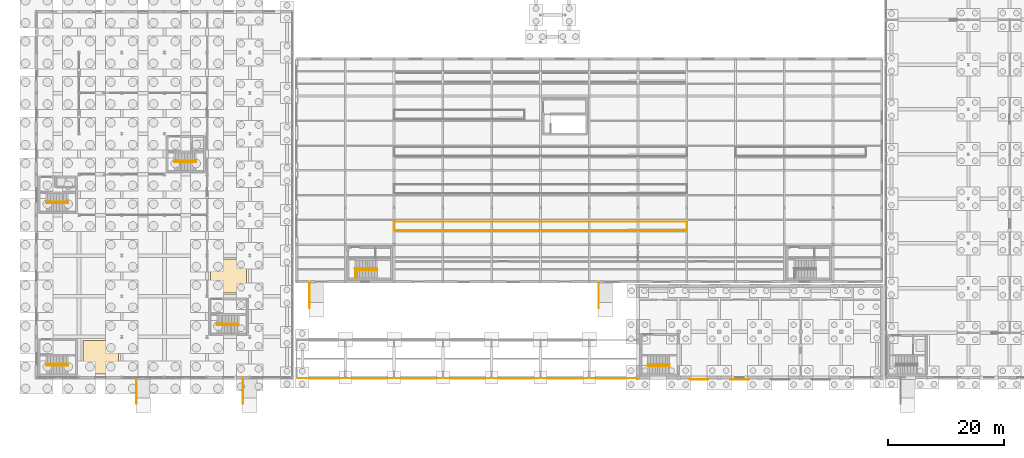
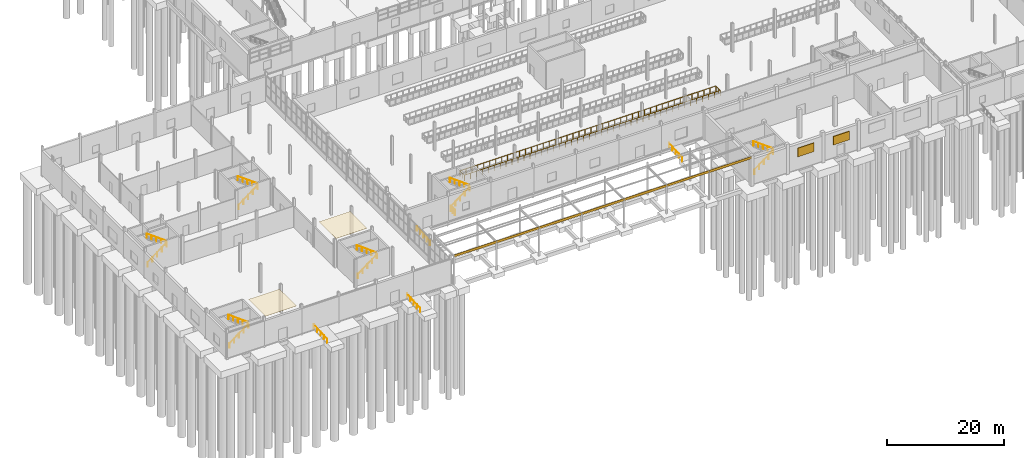
# One storey, part 134 of 139: 18 railings, 9 coverings, 2 shading devices.
"""IFC4 building model written with IfcOpenShell, lengths in metres."""

from ifc_helpers import new_model, si_unit, direction, frame, origin, origin_2d, place, context, subcontext, project, spatial, polyline, rectangle, circle, outline, extrude, material, layer, layer_set, type_object, element, save


model = new_model("IFC4")

# Units and contexts
model_context = context("Model", 3, precision=1e-05, world=origin(), true_north=direction((0.0, 1.0)))
body_context = subcontext(model_context, "Body", "Model", "MODEL_VIEW")
ifc_project = project(units=[si_unit("LENGTHUNIT", "METRE"), si_unit("AREAUNIT", "SQUARE_METRE"), si_unit("VOLUMEUNIT", "CUBIC_METRE"), si_unit("PLANEANGLEUNIT", "RADIAN"), si_unit("MASSUNIT", "GRAM", prefix="KILO")], contexts=[model_context])

# Site, building, storey
site_placement = place(None, origin())
site = spatial("IfcSite", under=ifc_project, at=site_placement, CompositionType="ELEMENT")
building_placement = place(site_placement, origin())
building = spatial("IfcBuilding", under=site, at=building_placement, Name="Kazenagashi Tramway Depot", CompositionType="ELEMENT")
storey_placement = place(building_placement, origin())
storey = spatial("IfcBuildingStorey", under=building, at=storey_placement, Name="L01", CompositionType="ELEMENT", Elevation=0.0)

# Coverings
ifc_material_1 = material(Name="Acoustic Mineral Fibre Board", Category="insulation")
ifc_layer_1 = layer(ifc_material_1, 0.035)
ifc_layer_set_1 = layer_set([ifc_layer_1], Name="Acoustic Mineral Fibre Board")
covering_type_1 = type_object("IfcCoveringType", Name="CV-CE1", PredefinedType="CEILING", material=ifc_layer_set_1)
covering_1_placement = place(storey_placement, frame((0.0, 0.0, 5.42)))
element("IfcCovering", 1, at=covering_1_placement, inside=storey, type_object=covering_type_1, Name="Acoustic Baffle Ceiling Panel 1", PredefinedType="CEILING", context=body_context, shape_type="SweptSolid", body=[
    extrude(outline(polyline([(8.0, 0.6), (14.1, 0.6), (14.1, 6.4), (8.0, 6.4), (8.0, 0.6)])), origin(), (0.0, 0.0, 1.0), 0.035),
])
covering_2_placement = place(storey_placement, frame((0.0, 0.0, 5.42)))
element("IfcCovering", 2, at=covering_2_placement, inside=storey, type_object=covering_type_1, Name="Acoustic Baffle Ceiling Panel 2", PredefinedType="CEILING", context=body_context, shape_type="SweptSolid", body=[
    extrude(outline(polyline([(30.0, 14.6), (36.15, 14.6), (36.15, 20.4), (30.0, 20.4), (30.0, 14.6)])), origin(), (0.0, 0.0, 1.0), 0.035),
])
ifc_material_2 = material(Name="Weathering Steel SMA490W Cladding", Category="steel")
ifc_layer_2 = layer(ifc_material_2, 0.04)
ifc_layer_set_2 = layer_set([ifc_layer_2], Name="Weathering Steel SMA490W Cladding")
covering_type_2 = type_object("IfcCoveringType", Name="CV-CL1", PredefinedType="CLADDING", material=ifc_layer_set_2)
for number, where, z_axis, x_axis, name in (
    (3, (49.0, -0.09, 5.29), (0.0, 0.0, 1.0), (1.0, 0.0, 0.0), "Weathering Steel Canopy Fascia Cladding 1"),
    (4, (57.4, -0.09, 5.29), (0.0, 0.0, 1.0), (1.0, 0.0, 0.0), "Weathering Steel Canopy Fascia Cladding 2"),
    (5, (65.8, -0.09, 5.29), (0.0, 0.0, 1.0), (1.0, 0.0, 0.0), "Weathering Steel Canopy Fascia Cladding 3"),
    (6, (74.2, -0.09, 5.29), (0.0, 0.0, 1.0), (1.0, 0.0, 0.0), "Weathering Steel Canopy Fascia Cladding 4"),
    (7, (82.6, -0.09, 5.29), (0.0, 0.0, 1.0), (1.0, 0.0, 0.0), "Weathering Steel Canopy Fascia Cladding 5"),
    (8, (91.0, -0.09, 5.29), (0.0, 0.0, 1.0), (1.0, 0.0, 0.0), "Weathering Steel Canopy Fascia Cladding 6"),
    (9, (99.4, -0.09, 5.29), (0.0, 0.0, 1.0), (1.0, 0.0, 0.0), "Weathering Steel Canopy Fascia Cladding 7"),
):
    element("IfcCovering", number, at=place(storey_placement, frame(where, z_axis=z_axis, x_axis=x_axis)), inside=storey, type_object=covering_type_2, Name=name, PredefinedType="CLADDING", context=body_context, shape_type="SweptSolid", body=[
        extrude(rectangle(XDim=8.4, YDim=0.04, at=origin_2d()), origin(), (0.0, 0.0, 1.0), 0.5),
    ])

# Railings
ifc_material_3 = material(Name="Galvanised Painted Steel Balustrade", Category="steel")
railing_type_1 = type_object("IfcRailingType", Name="GR-01", PredefinedType="GUARDRAIL", material=ifc_material_3)
railing_1_placement = place(storey_placement, frame((61.54, 25.34, 0.0)))
element("IfcRailing", 10, at=railing_1_placement, inside=storey, type_object=railing_type_1, Name="Inspection Pit 1 Perimeter Guardrail", PredefinedType="GUARDRAIL", context=body_context, shape_type="SweptSolid", body=[
    extrude(circle(Radius=0.024, at=origin_2d()), frame((0.0, 0.0, 1.126), z_axis=(1.0, 0.0, 0.0), x_axis=(0.0, 1.0, 0.0)), (0.0, 0.0, 1.0), 50.52),
    extrude(circle(Radius=0.024, at=origin_2d()), frame((50.52, 0.0, 1.126), z_axis=(0.0, 1.0, 0.0), x_axis=(-1.0, 0.0, 0.0)), (0.0, 0.0, 1.0), 1.52),
    extrude(circle(Radius=0.024, at=origin_2d()), frame((50.52, 1.52, 1.126), z_axis=(-1.0, 0.0, 0.0), x_axis=(0.0, -1.0, 0.0)), (0.0, 0.0, 1.0), 50.52),
    extrude(circle(Radius=0.024, at=origin_2d()), frame((0.0, 1.52, 1.126), z_axis=(0.0, -1.0, 0.0), x_axis=(1.0, 0.0, 0.0)), (0.0, 0.0, 1.0), 1.52),
    extrude(circle(Radius=0.021, at=origin_2d()), origin(), (0.0, 0.0, 1.0), 1.102),
    extrude(circle(Radius=0.021, at=origin_2d()), frame((1.174884, 0.0, 0.0)), (0.0, 0.0, 1.0), 1.102),
    extrude(circle(Radius=0.021, at=origin_2d()), frame((2.349767, 0.0, 0.0)), (0.0, 0.0, 1.0), 1.102),
    extrude(circle(Radius=0.021, at=origin_2d()), frame((3.524651, 0.0, 0.0)), (0.0, 0.0, 1.0), 1.102),
    extrude(circle(Radius=0.021, at=origin_2d()), frame((4.699535, 0.0, 0.0)), (0.0, 0.0, 1.0), 1.102),
    extrude(circle(Radius=0.021, at=origin_2d()), frame((5.874419, 0.0, 0.0)), (0.0, 0.0, 1.0), 1.102),
    extrude(circle(Radius=0.021, at=origin_2d()), frame((7.049302, 0.0, 0.0)), (0.0, 0.0, 1.0), 1.102),
    extrude(circle(Radius=0.021, at=origin_2d()), frame((8.224186, 0.0, 0.0)), (0.0, 0.0, 1.0), 1.102),
    extrude(circle(Radius=0.021, at=origin_2d()), frame((9.39907, 0.0, 0.0)), (0.0, 0.0, 1.0), 1.102),
    extrude(circle(Radius=0.021, at=origin_2d()), frame((10.573953, 0.0, 0.0)), (0.0, 0.0, 1.0), 1.102),
    extrude(circle(Radius=0.021, at=origin_2d()), frame((11.748837, 0.0, 0.0)), (0.0, 0.0, 1.0), 1.102),
    extrude(circle(Radius=0.021, at=origin_2d()), frame((12.923721, 0.0, 0.0)), (0.0, 0.0, 1.0), 1.102),
    extrude(circle(Radius=0.021, at=origin_2d()), frame((14.098605, 0.0, 0.0)), (0.0, 0.0, 1.0), 1.102),
    extrude(circle(Radius=0.021, at=origin_2d()), frame((15.273488, 0.0, 0.0)), (0.0, 0.0, 1.0), 1.102),
    extrude(circle(Radius=0.021, at=origin_2d()), frame((16.448372, 0.0, 0.0)), (0.0, 0.0, 1.0), 1.102),
    extrude(circle(Radius=0.021, at=origin_2d()), frame((17.623256, 0.0, 0.0)), (0.0, 0.0, 1.0), 1.102),
    extrude(circle(Radius=0.021, at=origin_2d()), frame((18.79814, 0.0, 0.0)), (0.0, 0.0, 1.0), 1.102),
    extrude(circle(Radius=0.021, at=origin_2d()), frame((19.973023, 0.0, 0.0)), (0.0, 0.0, 1.0), 1.102),
    extrude(circle(Radius=0.021, at=origin_2d()), frame((21.147907, 0.0, 0.0)), (0.0, 0.0, 1.0), 1.102),
    extrude(circle(Radius=0.021, at=origin_2d()), frame((22.322791, 0.0, 0.0)), (0.0, 0.0, 1.0), 1.102),
    extrude(circle(Radius=0.021, at=origin_2d()), frame((23.497674, 0.0, 0.0)), (0.0, 0.0, 1.0), 1.102),
    extrude(circle(Radius=0.021, at=origin_2d()), frame((24.672558, 0.0, 0.0)), (0.0, 0.0, 1.0), 1.102),
    extrude(circle(Radius=0.021, at=origin_2d()), frame((25.847442, 0.0, 0.0)), (0.0, 0.0, 1.0), 1.102),
    extrude(circle(Radius=0.021, at=origin_2d()), frame((27.022326, 0.0, 0.0)), (0.0, 0.0, 1.0), 1.102),
    extrude(circle(Radius=0.021, at=origin_2d()), frame((28.197209, 0.0, 0.0)), (0.0, 0.0, 1.0), 1.102),
    extrude(circle(Radius=0.021, at=origin_2d()), frame((29.372093, 0.0, 0.0)), (0.0, 0.0, 1.0), 1.102),
    extrude(circle(Radius=0.021, at=origin_2d()), frame((30.546977, 0.0, 0.0)), (0.0, 0.0, 1.0), 1.102),
    extrude(circle(Radius=0.021, at=origin_2d()), frame((31.72186, 0.0, 0.0)), (0.0, 0.0, 1.0), 1.102),
    extrude(circle(Radius=0.021, at=origin_2d()), frame((32.896744, 0.0, 0.0)), (0.0, 0.0, 1.0), 1.102),
    extrude(circle(Radius=0.021, at=origin_2d()), frame((34.071628, 0.0, 0.0)), (0.0, 0.0, 1.0), 1.102),
    extrude(circle(Radius=0.021, at=origin_2d()), frame((35.246512, 0.0, 0.0)), (0.0, 0.0, 1.0), 1.102),
    extrude(circle(Radius=0.021, at=origin_2d()), frame((36.421395, 0.0, 0.0)), (0.0, 0.0, 1.0), 1.102),
    extrude(circle(Radius=0.021, at=origin_2d()), frame((37.596279, 0.0, 0.0)), (0.0, 0.0, 1.0), 1.102),
    extrude(circle(Radius=0.021, at=origin_2d()), frame((38.771163, 0.0, 0.0)), (0.0, 0.0, 1.0), 1.102),
    extrude(circle(Radius=0.021, at=origin_2d()), frame((39.946047, 0.0, 0.0)), (0.0, 0.0, 1.0), 1.102),
    extrude(circle(Radius=0.021, at=origin_2d()), frame((41.12093, 0.0, 0.0)), (0.0, 0.0, 1.0), 1.102),
    extrude(circle(Radius=0.021, at=origin_2d()), frame((42.295814, 0.0, 0.0)), (0.0, 0.0, 1.0), 1.102),
    extrude(circle(Radius=0.021, at=origin_2d()), frame((43.470698, 0.0, 0.0)), (0.0, 0.0, 1.0), 1.102),
    extrude(circle(Radius=0.021, at=origin_2d()), frame((44.645581, 0.0, 0.0)), (0.0, 0.0, 1.0), 1.102),
    extrude(circle(Radius=0.021, at=origin_2d()), frame((45.820465, 0.0, 0.0)), (0.0, 0.0, 1.0), 1.102),
    extrude(circle(Radius=0.021, at=origin_2d()), frame((46.995349, 0.0, 0.0)), (0.0, 0.0, 1.0), 1.102),
    extrude(circle(Radius=0.021, at=origin_2d()), frame((48.170233, 0.0, 0.0)), (0.0, 0.0, 1.0), 1.102),
    extrude(circle(Radius=0.021, at=origin_2d()), frame((49.345116, 0.0, 0.0)), (0.0, 0.0, 1.0), 1.102),
    extrude(circle(Radius=0.021, at=origin_2d()), frame((50.52, 0.0, 0.0)), (0.0, 0.0, 1.0), 1.102),
    extrude(circle(Radius=0.021, at=origin_2d()), frame((50.52, 0.76, 0.0)), (0.0, 0.0, 1.0), 1.102),
    extrude(circle(Radius=0.021, at=origin_2d()), frame((50.52, 1.52, 0.0)), (0.0, 0.0, 1.0), 1.102),
    extrude(circle(Radius=0.021, at=origin_2d()), frame((49.345116, 1.52, 0.0)), (0.0, 0.0, 1.0), 1.102),
    extrude(circle(Radius=0.021, at=origin_2d()), frame((48.170233, 1.52, 0.0)), (0.0, 0.0, 1.0), 1.102),
    extrude(circle(Radius=0.021, at=origin_2d()), frame((46.995349, 1.52, 0.0)), (0.0, 0.0, 1.0), 1.102),
    extrude(circle(Radius=0.021, at=origin_2d()), frame((45.820465, 1.52, 0.0)), (0.0, 0.0, 1.0), 1.102),
    extrude(circle(Radius=0.021, at=origin_2d()), frame((44.645581, 1.52, 0.0)), (0.0, 0.0, 1.0), 1.102),
    extrude(circle(Radius=0.021, at=origin_2d()), frame((43.470698, 1.52, 0.0)), (0.0, 0.0, 1.0), 1.102),
    extrude(circle(Radius=0.021, at=origin_2d()), frame((42.295814, 1.52, 0.0)), (0.0, 0.0, 1.0), 1.102),
    extrude(circle(Radius=0.021, at=origin_2d()), frame((41.12093, 1.52, 0.0)), (0.0, 0.0, 1.0), 1.102),
    extrude(circle(Radius=0.021, at=origin_2d()), frame((39.946047, 1.52, 0.0)), (0.0, 0.0, 1.0), 1.102),
    extrude(circle(Radius=0.021, at=origin_2d()), frame((38.771163, 1.52, 0.0)), (0.0, 0.0, 1.0), 1.102),
    extrude(circle(Radius=0.021, at=origin_2d()), frame((37.596279, 1.52, 0.0)), (0.0, 0.0, 1.0), 1.102),
    extrude(circle(Radius=0.021, at=origin_2d()), frame((36.421395, 1.52, 0.0)), (0.0, 0.0, 1.0), 1.102),
    extrude(circle(Radius=0.021, at=origin_2d()), frame((35.246512, 1.52, 0.0)), (0.0, 0.0, 1.0), 1.102),
    extrude(circle(Radius=0.021, at=origin_2d()), frame((34.071628, 1.52, 0.0)), (0.0, 0.0, 1.0), 1.102),
    extrude(circle(Radius=0.021, at=origin_2d()), frame((32.896744, 1.52, 0.0)), (0.0, 0.0, 1.0), 1.102),
    extrude(circle(Radius=0.021, at=origin_2d()), frame((31.72186, 1.52, 0.0)), (0.0, 0.0, 1.0), 1.102),
    extrude(circle(Radius=0.021, at=origin_2d()), frame((30.546977, 1.52, 0.0)), (0.0, 0.0, 1.0), 1.102),
    extrude(circle(Radius=0.021, at=origin_2d()), frame((29.372093, 1.52, 0.0)), (0.0, 0.0, 1.0), 1.102),
    extrude(circle(Radius=0.021, at=origin_2d()), frame((28.197209, 1.52, 0.0)), (0.0, 0.0, 1.0), 1.102),
    extrude(circle(Radius=0.021, at=origin_2d()), frame((27.022326, 1.52, 0.0)), (0.0, 0.0, 1.0), 1.102),
    extrude(circle(Radius=0.021, at=origin_2d()), frame((25.847442, 1.52, 0.0)), (0.0, 0.0, 1.0), 1.102),
    extrude(circle(Radius=0.021, at=origin_2d()), frame((24.672558, 1.52, 0.0)), (0.0, 0.0, 1.0), 1.102),
    extrude(circle(Radius=0.021, at=origin_2d()), frame((23.497674, 1.52, 0.0)), (0.0, 0.0, 1.0), 1.102),
    extrude(circle(Radius=0.021, at=origin_2d()), frame((22.322791, 1.52, 0.0)), (0.0, 0.0, 1.0), 1.102),
    extrude(circle(Radius=0.021, at=origin_2d()), frame((21.147907, 1.52, 0.0)), (0.0, 0.0, 1.0), 1.102),
    extrude(circle(Radius=0.021, at=origin_2d()), frame((19.973023, 1.52, 0.0)), (0.0, 0.0, 1.0), 1.102),
    extrude(circle(Radius=0.021, at=origin_2d()), frame((18.79814, 1.52, 0.0)), (0.0, 0.0, 1.0), 1.102),
    extrude(circle(Radius=0.021, at=origin_2d()), frame((17.623256, 1.52, 0.0)), (0.0, 0.0, 1.0), 1.102),
    extrude(circle(Radius=0.021, at=origin_2d()), frame((16.448372, 1.52, 0.0)), (0.0, 0.0, 1.0), 1.102),
    extrude(circle(Radius=0.021, at=origin_2d()), frame((15.273488, 1.52, 0.0)), (0.0, 0.0, 1.0), 1.102),
    extrude(circle(Radius=0.021, at=origin_2d()), frame((14.098605, 1.52, 0.0)), (0.0, 0.0, 1.0), 1.102),
    extrude(circle(Radius=0.021, at=origin_2d()), frame((12.923721, 1.52, 0.0)), (0.0, 0.0, 1.0), 1.102),
    extrude(circle(Radius=0.021, at=origin_2d()), frame((11.748837, 1.52, 0.0)), (0.0, 0.0, 1.0), 1.102),
    extrude(circle(Radius=0.021, at=origin_2d()), frame((10.573953, 1.52, 0.0)), (0.0, 0.0, 1.0), 1.102),
    extrude(circle(Radius=0.021, at=origin_2d()), frame((9.39907, 1.52, 0.0)), (0.0, 0.0, 1.0), 1.102),
    extrude(circle(Radius=0.021, at=origin_2d()), frame((8.224186, 1.52, 0.0)), (0.0, 0.0, 1.0), 1.102),
    extrude(circle(Radius=0.021, at=origin_2d()), frame((7.049302, 1.52, 0.0)), (0.0, 0.0, 1.0), 1.102),
    extrude(circle(Radius=0.021, at=origin_2d()), frame((5.874419, 1.52, 0.0)), (0.0, 0.0, 1.0), 1.102),
    extrude(circle(Radius=0.021, at=origin_2d()), frame((4.699535, 1.52, 0.0)), (0.0, 0.0, 1.0), 1.102),
    extrude(circle(Radius=0.021, at=origin_2d()), frame((3.524651, 1.52, 0.0)), (0.0, 0.0, 1.0), 1.102),
    extrude(circle(Radius=0.021, at=origin_2d()), frame((2.349767, 1.52, 0.0)), (0.0, 0.0, 1.0), 1.102),
    extrude(circle(Radius=0.021, at=origin_2d()), frame((1.174884, 1.52, 0.0)), (0.0, 0.0, 1.0), 1.102),
    extrude(circle(Radius=0.021, at=origin_2d()), frame((0.0, 1.52, 0.0)), (0.0, 0.0, 1.0), 1.102),
    extrude(circle(Radius=0.021, at=origin_2d()), frame((0.0, 0.76, 0.0)), (0.0, 0.0, 1.0), 1.102),
])
railing_2_placement = place(storey_placement, frame((54.96, 17.17, 0.0)))
element("IfcRailing", 11, at=railing_2_placement, inside=storey, type_object=railing_type_1, Name="Stairwell ST-16 Arrival Guardrail", PredefinedType="GUARDRAIL", context=body_context, shape_type="SweptSolid", body=[
    extrude(circle(Radius=0.024, at=origin_2d()), frame((0.0, 0.0, 1.156), z_axis=(0.0, 1.0, 0.0), x_axis=(-1.0, 0.0, 0.0)), (0.0, 0.0, 1.0), 1.4),
    extrude(circle(Radius=0.021, at=origin_2d()), origin(), (0.0, 0.0, 1.0), 1.132),
    extrude(circle(Radius=0.021, at=origin_2d()), frame((0.0, 0.7, 0.0)), (0.0, 0.0, 1.0), 1.132),
    extrude(circle(Radius=0.021, at=origin_2d()), frame((0.0, 1.4, 0.0)), (0.0, 0.0, 1.0), 1.132),
])
ifc_material_4 = material(Name="Brushed Stainless Steel Handrail", Category="steel")
railing_type_2 = type_object("IfcRailingType", Name="HR-01", PredefinedType="HANDRAIL", material=ifc_material_4)
railing_3_placement = place(storey_placement, frame((1.72, 30.02, 0.188)))
element("IfcRailing", 12, at=railing_3_placement, inside=storey, type_object=railing_type_2, Name="Stair ST-01 Lower Handrail", PredefinedType="HANDRAIL", context=body_context, shape_type="SweptSolid", body=[
    extrude(circle(Radius=0.024, at=origin_2d()), frame((0.0, 0.0, 0.876), z_axis=(0.799281356131, 0.0, 0.600956998246), x_axis=(0.0, 1.0, 0.0)), (0.0, 0.0, 1.0), 4.679203),
    extrude(circle(Radius=0.021, at=origin_2d()), origin(), (0.0, 0.0, 1.0), 0.852),
    extrude(circle(Radius=0.021, at=origin_2d()), frame((0.935, 0.0, 0.703)), (0.0, 0.0, 1.0), 0.852),
    extrude(circle(Radius=0.021, at=origin_2d()), frame((1.87, 0.0, 1.406)), (0.0, 0.0, 1.0), 0.852),
    extrude(circle(Radius=0.021, at=origin_2d()), frame((2.805, 0.0, 2.109)), (0.0, 0.0, 1.0), 0.852),
    extrude(circle(Radius=0.021, at=origin_2d()), frame((3.74, 0.0, 2.812)), (0.0, 0.0, 1.0), 0.852),
])
railing_4_placement = place(storey_placement, frame((5.46, 30.28, 3.188)))
element("IfcRailing", 13, at=railing_4_placement, inside=storey, type_object=railing_type_2, Name="Stair ST-01 Upper Handrail", PredefinedType="HANDRAIL", context=body_context, shape_type="SweptSolid", body=[
    extrude(circle(Radius=0.024, at=origin_2d()), frame((0.0, 0.0, 0.876), z_axis=(-0.802337232767, 0.0, 0.59687097845), x_axis=(0.0, -1.0, 0.0)), (0.0, 0.0, 1.0), 4.711236),
    extrude(circle(Radius=0.021, at=origin_2d()), origin(), (0.0, 0.0, 1.0), 0.852),
    extrude(circle(Radius=0.021, at=origin_2d()), frame((-0.945, 0.0, 0.703)), (0.0, 0.0, 1.0), 0.852),
    extrude(circle(Radius=0.021, at=origin_2d()), frame((-1.89, 0.0, 1.406)), (0.0, 0.0, 1.0), 0.852),
    extrude(circle(Radius=0.021, at=origin_2d()), frame((-2.835, 0.0, 2.109)), (0.0, 0.0, 1.0), 0.852),
    extrude(circle(Radius=0.021, at=origin_2d()), frame((-3.78, 0.0, 2.812)), (0.0, 0.0, 1.0), 0.852),
])
railing_5_placement = place(storey_placement, frame((23.77, 37.07, 0.188)))
element("IfcRailing", 14, at=railing_5_placement, inside=storey, type_object=railing_type_2, Name="Stair ST-05 Lower Handrail", PredefinedType="HANDRAIL", context=body_context, shape_type="SweptSolid", body=[
    extrude(circle(Radius=0.024, at=origin_2d()), frame((0.0, 0.0, 0.876), z_axis=(0.799281356131, 0.0, 0.600956998246), x_axis=(0.0, 1.0, 0.0)), (0.0, 0.0, 1.0), 4.679203),
    extrude(circle(Radius=0.021, at=origin_2d()), origin(), (0.0, 0.0, 1.0), 0.852),
    extrude(circle(Radius=0.021, at=origin_2d()), frame((0.935, 0.0, 0.703)), (0.0, 0.0, 1.0), 0.852),
    extrude(circle(Radius=0.021, at=origin_2d()), frame((1.87, 0.0, 1.406)), (0.0, 0.0, 1.0), 0.852),
    extrude(circle(Radius=0.021, at=origin_2d()), frame((2.805, 0.0, 2.109)), (0.0, 0.0, 1.0), 0.852),
    extrude(circle(Radius=0.021, at=origin_2d()), frame((3.74, 0.0, 2.812)), (0.0, 0.0, 1.0), 0.852),
])
railing_6_placement = place(storey_placement, frame((27.51, 37.33, 3.188)))
element("IfcRailing", 15, at=railing_6_placement, inside=storey, type_object=railing_type_2, Name="Stair ST-05 Upper Handrail", PredefinedType="HANDRAIL", context=body_context, shape_type="SweptSolid", body=[
    extrude(circle(Radius=0.024, at=origin_2d()), frame((0.0, 0.0, 0.876), z_axis=(-0.802337232767, 0.0, 0.59687097845), x_axis=(0.0, -1.0, 0.0)), (0.0, 0.0, 1.0), 4.711236),
    extrude(circle(Radius=0.021, at=origin_2d()), origin(), (0.0, 0.0, 1.0), 0.852),
    extrude(circle(Radius=0.021, at=origin_2d()), frame((-0.945, 0.0, 0.703)), (0.0, 0.0, 1.0), 0.852),
    extrude(circle(Radius=0.021, at=origin_2d()), frame((-1.89, 0.0, 1.406)), (0.0, 0.0, 1.0), 0.852),
    extrude(circle(Radius=0.021, at=origin_2d()), frame((-2.835, 0.0, 2.109)), (0.0, 0.0, 1.0), 0.852),
    extrude(circle(Radius=0.021, at=origin_2d()), frame((-3.78, 0.0, 2.812)), (0.0, 0.0, 1.0), 0.852),
])
railing_7_placement = place(storey_placement, frame((31.12, 9.02, 0.188)))
element("IfcRailing", 16, at=railing_7_placement, inside=storey, type_object=railing_type_2, Name="Stair ST-09 Lower Handrail", PredefinedType="HANDRAIL", context=body_context, shape_type="SweptSolid", body=[
    extrude(circle(Radius=0.024, at=origin_2d()), frame((0.0, 0.0, 0.876), z_axis=(0.799281356131, 0.0, 0.600956998246), x_axis=(0.0, 1.0, 0.0)), (0.0, 0.0, 1.0), 4.679203),
    extrude(circle(Radius=0.021, at=origin_2d()), origin(), (0.0, 0.0, 1.0), 0.852),
    extrude(circle(Radius=0.021, at=origin_2d()), frame((0.935, 0.0, 0.703)), (0.0, 0.0, 1.0), 0.852),
    extrude(circle(Radius=0.021, at=origin_2d()), frame((1.87, 0.0, 1.406)), (0.0, 0.0, 1.0), 0.852),
    extrude(circle(Radius=0.021, at=origin_2d()), frame((2.805, 0.0, 2.109)), (0.0, 0.0, 1.0), 0.852),
    extrude(circle(Radius=0.021, at=origin_2d()), frame((3.74, 0.0, 2.812)), (0.0, 0.0, 1.0), 0.852),
])
railing_8_placement = place(storey_placement, frame((34.86, 9.28, 3.188)))
element("IfcRailing", 17, at=railing_8_placement, inside=storey, type_object=railing_type_2, Name="Stair ST-09 Upper Handrail", PredefinedType="HANDRAIL", context=body_context, shape_type="SweptSolid", body=[
    extrude(circle(Radius=0.024, at=origin_2d()), frame((0.0, 0.0, 0.876), z_axis=(-0.802337232767, 0.0, 0.59687097845), x_axis=(0.0, -1.0, 0.0)), (0.0, 0.0, 1.0), 4.711236),
    extrude(circle(Radius=0.021, at=origin_2d()), origin(), (0.0, 0.0, 1.0), 0.852),
    extrude(circle(Radius=0.021, at=origin_2d()), frame((-0.945, 0.0, 0.703)), (0.0, 0.0, 1.0), 0.852),
    extrude(circle(Radius=0.021, at=origin_2d()), frame((-1.89, 0.0, 1.406)), (0.0, 0.0, 1.0), 0.852),
    extrude(circle(Radius=0.021, at=origin_2d()), frame((-2.835, 0.0, 2.109)), (0.0, 0.0, 1.0), 0.852),
    extrude(circle(Radius=0.021, at=origin_2d()), frame((-3.78, 0.0, 2.812)), (0.0, 0.0, 1.0), 0.852),
])
railing_9_placement = place(storey_placement, frame((1.72, 2.07, 0.188)))
element("IfcRailing", 18, at=railing_9_placement, inside=storey, type_object=railing_type_2, Name="Stair ST-12 Lower Handrail", PredefinedType="HANDRAIL", context=body_context, shape_type="SweptSolid", body=[
    extrude(circle(Radius=0.024, at=origin_2d()), frame((0.0, 0.0, 0.876), z_axis=(0.799281356131, 0.0, 0.600956998246), x_axis=(0.0, 1.0, 0.0)), (0.0, 0.0, 1.0), 4.679203),
    extrude(circle(Radius=0.021, at=origin_2d()), origin(), (0.0, 0.0, 1.0), 0.852),
    extrude(circle(Radius=0.021, at=origin_2d()), frame((0.935, 0.0, 0.703)), (0.0, 0.0, 1.0), 0.852),
    extrude(circle(Radius=0.021, at=origin_2d()), frame((1.87, 0.0, 1.406)), (0.0, 0.0, 1.0), 0.852),
    extrude(circle(Radius=0.021, at=origin_2d()), frame((2.805, 0.0, 2.109)), (0.0, 0.0, 1.0), 0.852),
    extrude(circle(Radius=0.021, at=origin_2d()), frame((3.74, 0.0, 2.812)), (0.0, 0.0, 1.0), 0.852),
])
railing_10_placement = place(storey_placement, frame((5.46, 2.33, 3.188)))
element("IfcRailing", 19, at=railing_10_placement, inside=storey, type_object=railing_type_2, Name="Stair ST-12 Upper Handrail", PredefinedType="HANDRAIL", context=body_context, shape_type="SweptSolid", body=[
    extrude(circle(Radius=0.024, at=origin_2d()), frame((0.0, 0.0, 0.876), z_axis=(-0.802337232767, 0.0, 0.59687097845), x_axis=(0.0, -1.0, 0.0)), (0.0, 0.0, 1.0), 4.711236),
    extrude(circle(Radius=0.021, at=origin_2d()), origin(), (0.0, 0.0, 1.0), 0.852),
    extrude(circle(Radius=0.021, at=origin_2d()), frame((-0.945, 0.0, 0.703)), (0.0, 0.0, 1.0), 0.852),
    extrude(circle(Radius=0.021, at=origin_2d()), frame((-1.89, 0.0, 1.406)), (0.0, 0.0, 1.0), 0.852),
    extrude(circle(Radius=0.021, at=origin_2d()), frame((-2.835, 0.0, 2.109)), (0.0, 0.0, 1.0), 0.852),
    extrude(circle(Radius=0.021, at=origin_2d()), frame((-3.78, 0.0, 2.812)), (0.0, 0.0, 1.0), 0.852),
])
railing_11_placement = place(storey_placement, frame((54.92, 18.52, 0.188)))
element("IfcRailing", 20, at=railing_11_placement, inside=storey, type_object=railing_type_2, Name="Stair ST-17 Lower Handrail", PredefinedType="HANDRAIL", context=body_context, shape_type="SweptSolid", body=[
    extrude(circle(Radius=0.024, at=origin_2d()), frame((0.0, 0.0, 0.876), z_axis=(0.799281356131, 0.0, 0.600956998246), x_axis=(0.0, 1.0, 0.0)), (0.0, 0.0, 1.0), 4.679203),
    extrude(circle(Radius=0.021, at=origin_2d()), origin(), (0.0, 0.0, 1.0), 0.852),
    extrude(circle(Radius=0.021, at=origin_2d()), frame((0.935, 0.0, 0.703)), (0.0, 0.0, 1.0), 0.852),
    extrude(circle(Radius=0.021, at=origin_2d()), frame((1.87, 0.0, 1.406)), (0.0, 0.0, 1.0), 0.852),
    extrude(circle(Radius=0.021, at=origin_2d()), frame((2.805, 0.0, 2.109)), (0.0, 0.0, 1.0), 0.852),
    extrude(circle(Radius=0.021, at=origin_2d()), frame((3.74, 0.0, 2.812)), (0.0, 0.0, 1.0), 0.852),
])
railing_12_placement = place(storey_placement, frame((58.66, 18.78, 3.188)))
element("IfcRailing", 21, at=railing_12_placement, inside=storey, type_object=railing_type_2, Name="Stair ST-17 Upper Handrail", PredefinedType="HANDRAIL", context=body_context, shape_type="SweptSolid", body=[
    extrude(circle(Radius=0.024, at=origin_2d()), frame((0.0, 0.0, 0.876), z_axis=(-0.802337232767, 0.0, 0.59687097845), x_axis=(0.0, -1.0, 0.0)), (0.0, 0.0, 1.0), 4.711236),
    extrude(circle(Radius=0.021, at=origin_2d()), origin(), (0.0, 0.0, 1.0), 0.852),
    extrude(circle(Radius=0.021, at=origin_2d()), frame((-0.945, 0.0, 0.703)), (0.0, 0.0, 1.0), 0.852),
    extrude(circle(Radius=0.021, at=origin_2d()), frame((-1.89, 0.0, 1.406)), (0.0, 0.0, 1.0), 0.852),
    extrude(circle(Radius=0.021, at=origin_2d()), frame((-2.835, 0.0, 2.109)), (0.0, 0.0, 1.0), 0.852),
    extrude(circle(Radius=0.021, at=origin_2d()), frame((-3.78, 0.0, 2.812)), (0.0, 0.0, 1.0), 0.852),
])
railing_13_placement = place(storey_placement, frame((105.32, 2.02, 0.188)))
element("IfcRailing", 22, at=railing_13_placement, inside=storey, type_object=railing_type_2, Name="Stair ST-28 Lower Handrail", PredefinedType="HANDRAIL", context=body_context, shape_type="SweptSolid", body=[
    extrude(circle(Radius=0.024, at=origin_2d()), frame((0.0, 0.0, 0.876), z_axis=(0.799281356131, 0.0, 0.600956998246), x_axis=(0.0, 1.0, 0.0)), (0.0, 0.0, 1.0), 4.679203),
    extrude(circle(Radius=0.021, at=origin_2d()), origin(), (0.0, 0.0, 1.0), 0.852),
    extrude(circle(Radius=0.021, at=origin_2d()), frame((0.935, 0.0, 0.703)), (0.0, 0.0, 1.0), 0.852),
    extrude(circle(Radius=0.021, at=origin_2d()), frame((1.87, 0.0, 1.406)), (0.0, 0.0, 1.0), 0.852),
    extrude(circle(Radius=0.021, at=origin_2d()), frame((2.805, 0.0, 2.109)), (0.0, 0.0, 1.0), 0.852),
    extrude(circle(Radius=0.021, at=origin_2d()), frame((3.74, 0.0, 2.812)), (0.0, 0.0, 1.0), 0.852),
])
railing_14_placement = place(storey_placement, frame((109.06, 2.28, 3.188)))
element("IfcRailing", 23, at=railing_14_placement, inside=storey, type_object=railing_type_2, Name="Stair ST-28 Upper Handrail", PredefinedType="HANDRAIL", context=body_context, shape_type="SweptSolid", body=[
    extrude(circle(Radius=0.024, at=origin_2d()), frame((0.0, 0.0, 0.876), z_axis=(-0.802337232767, 0.0, 0.59687097845), x_axis=(0.0, -1.0, 0.0)), (0.0, 0.0, 1.0), 4.711236),
    extrude(circle(Radius=0.021, at=origin_2d()), origin(), (0.0, 0.0, 1.0), 0.852),
    extrude(circle(Radius=0.021, at=origin_2d()), frame((-0.945, 0.0, 0.703)), (0.0, 0.0, 1.0), 0.852),
    extrude(circle(Radius=0.021, at=origin_2d()), frame((-1.89, 0.0, 1.406)), (0.0, 0.0, 1.0), 0.852),
    extrude(circle(Radius=0.021, at=origin_2d()), frame((-2.835, 0.0, 2.109)), (0.0, 0.0, 1.0), 0.852),
    extrude(circle(Radius=0.021, at=origin_2d()), frame((-3.78, 0.0, 2.812)), (0.0, 0.0, 1.0), 0.852),
])
for number, where, name in (
    (24, (17.225, -4.5, -0.3), "South Boulevard Barrier-Free Entrance Ramp Handrail"),
    (25, (35.6, -4.5, -0.3), "Transit Foyer Barrier-Free Entrance Ramp Handrail"),
    (26, (47.05, 12.0, -0.3), "Overhaul West Access Ramp Handrail"),
    (27, (96.85, 12.0, -0.3), "Overhaul East Access Ramp Handrail"),
):
    element("IfcRailing", number, at=place(storey_placement, frame(where)), inside=storey, type_object=railing_type_2, Name=name, PredefinedType="HANDRAIL", context=body_context, shape_type="SweptSolid", body=[
        extrude(circle(Radius=0.024, at=origin_2d()), frame((0.0, 0.0, 0.876), z_axis=(0.0, 0.997785157857, 0.066519010524), x_axis=(-1.0, 0.0, 0.0)), (0.0, 0.0, 1.0), 4.509989),
        extrude(circle(Radius=0.021, at=origin_2d()), origin(), (0.0, 0.0, 1.0), 0.852),
        extrude(circle(Radius=0.021, at=origin_2d()), frame((0.0, 1.125, 0.075)), (0.0, 0.0, 1.0), 0.852),
        extrude(circle(Radius=0.021, at=origin_2d()), frame((0.0, 2.25, 0.15)), (0.0, 0.0, 1.0), 0.852),
        extrude(circle(Radius=0.021, at=origin_2d()), frame((0.0, 3.375, 0.225)), (0.0, 0.0, 1.0), 0.852),
        extrude(circle(Radius=0.021, at=origin_2d()), frame((0.0, 4.5, 0.3)), (0.0, 0.0, 1.0), 0.852),
    ])

# Shading devices
ifc_material_5 = material(Name="Anodised Aluminium Acoustic Louvre", Category="aluminium")
ifc_layer_3 = layer(ifc_material_5, 0.15)
ifc_layer_set_3 = layer_set([ifc_layer_3], Name="Anodised Aluminium Acoustic Louvre")
shading_device_type = type_object("IfcShadingDeviceType", Name="SH-LV1", PredefinedType="JALOUSIE", material=ifc_layer_set_3)
for number, where, z_axis, x_axis, name in (
    (28, (114.1, -0.32, 2.7), (0.0, 0.0, 1.0), (1.0, 0.0, 0.0), "Substation Acoustic Louvre Bank 1"),
    (29, (121.1, -0.32, 2.7), (0.0, 0.0, 1.0), (1.0, 0.0, 0.0), "Substation Acoustic Louvre Bank 2"),
):
    element("IfcShadingDevice", number, at=place(storey_placement, frame(where, z_axis=z_axis, x_axis=x_axis)), inside=storey, type_object=shading_device_type, Name=name, PredefinedType="JALOUSIE", context=body_context, shape_type="SweptSolid", body=[
        extrude(rectangle(XDim=3.2, YDim=0.15, at=origin_2d()), origin(), (0.0, 0.0, 1.0), 1.8),
    ])

save(model, "model.ifc")
